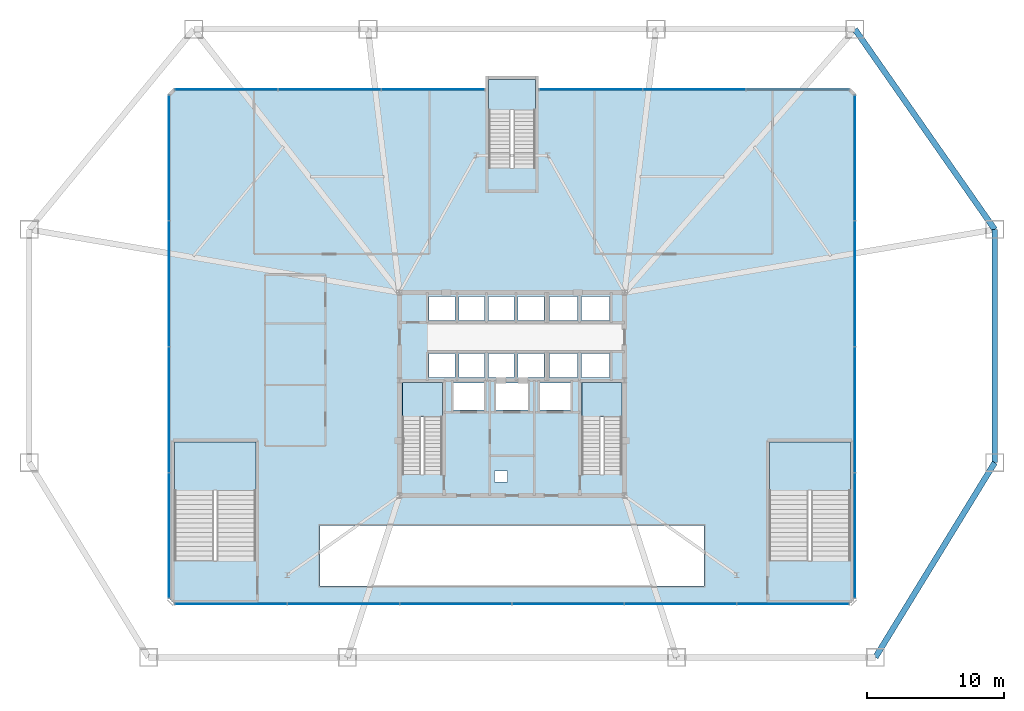
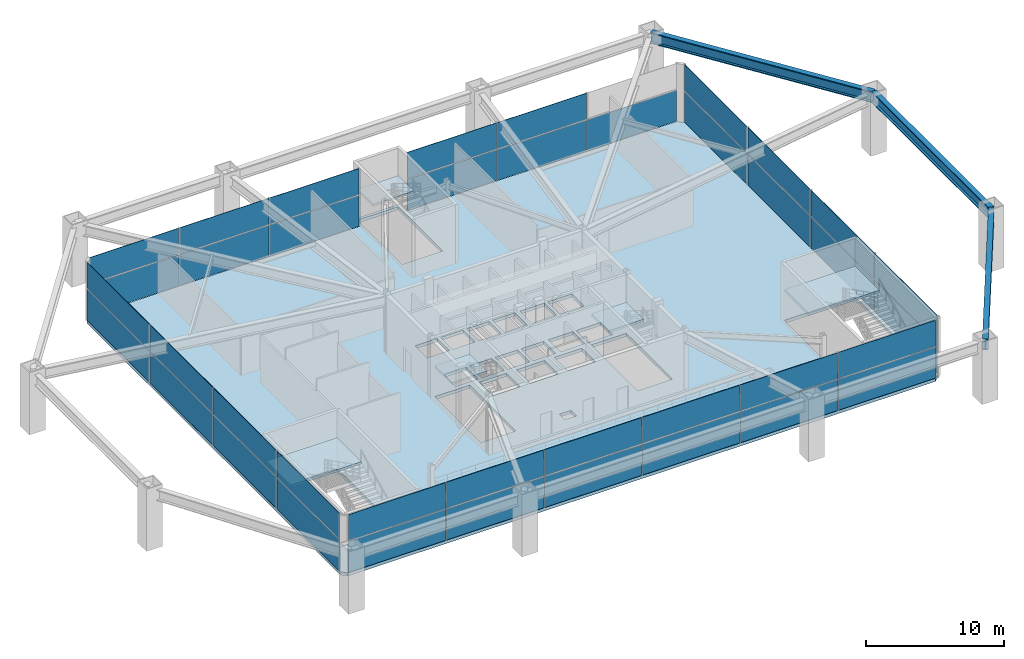
# One storey, part 13 of 18: 39 plates, 6 slabs, 3 beams, 10 elements without a shape of their own.
"""IFC4 building model written with IfcOpenShell, lengths in metres."""

import ifcopenshell
import ifcopenshell.guid

model = None  # the IFC model being written
_history = None  # IfcOwnerHistory: only IFC2X3 demands one
_inside = {}  # id of a spatial element -> (the spatial element, [elements in it])
_under = {}  # id of a project, library or spatial element -> (it, [spatial elements below it])
_declared = {}  # id of a project -> (the project, [libraries it declares])
_typed = {}  # id of a type object -> (the type object, [elements of that type])
_made_of = {}  # id of a material, layer set ... -> (it, [elements and type objects made of it])


def new_model(schema):
    """Start an empty IFC model of exactly this schema.

    Asked for "IFC4X3", IfcOpenShell would pick the latest addendum, in which some entities
    have other attributes; the version numbers below select the first issue.
    IFC2X3 requires an IfcOwnerHistory on every rooted entity: one is made here for all.
    """
    global model, _history
    if schema == "IFC4X3":
        model = ifcopenshell.file(schema_version=(4, 3, 0, 0))
    else:
        model = ifcopenshell.file(schema=schema)
    _inside.clear()
    _under.clear()
    _declared.clear()
    _typed.clear()
    _made_of.clear()
    _history = None
    if model.schema == "IFC2X3":
        org = make("IfcOrganization", Name="unknown")
        user = make(
            "IfcPersonAndOrganization",
            ThePerson=make("IfcPerson", FamilyName="unknown"),
            TheOrganization=org,
        )
        app = make(
            "IfcApplication",
            ApplicationDeveloper=org,
            Version="unknown",
            ApplicationFullName="unknown",
            ApplicationIdentifier="unknown",
        )
        _history = make(
            "IfcOwnerHistory",
            OwningUser=user,
            OwningApplication=app,
            ChangeAction="ADDED",
            CreationDate=0,
        )
    return model


def make(cls, **values):
    """One entity of the class cls with the attributes given. An attribute that is None is left unset."""
    return model.create_entity(
        cls, **{name: value for name, value in values.items() if value is not None}
    )


def rooted(cls, **values):
    """An entity with a GlobalId (a new one), such as an element, a storey or a relation."""
    return make(cls, GlobalId=ifcopenshell.guid.new(), OwnerHistory=_history, **values)


def si_unit(unit_type, name, prefix=None):
    """IfcSIUnit, for example si_unit("LENGTHUNIT", "METRE", prefix="MILLI")."""
    return make("IfcSIUnit", UnitType=unit_type, Prefix=prefix, Name=name)


def assignment(units):
    """IfcUnitAssignment: the units of a project."""
    return None if units is None else make("IfcUnitAssignment", Units=units)


def point(xyz):
    """IfcCartesianPoint."""
    return None if xyz is None else make("IfcCartesianPoint", Coordinates=xyz)


def direction(xyz):
    """IfcDirection."""
    return None if xyz is None else make("IfcDirection", DirectionRatios=xyz)


def frame(location, z_axis=None, x_axis=None):
    """IfcAxis2Placement3D, a coordinate frame: its origin and axes. An axis left out is left unset."""
    return make(
        "IfcAxis2Placement3D",
        Location=point(location),
        Axis=direction(z_axis),
        RefDirection=direction(x_axis),
    )


def frame_2d(location, x_axis=None):
    """IfcAxis2Placement2D, a coordinate frame in the plane: its origin and x axis."""
    return make(
        "IfcAxis2Placement2D", Location=point(location), RefDirection=direction(x_axis)
    )


def origin():
    """The frame at (0, 0, 0) with its axes left unset."""
    return frame((0.0, 0.0, 0.0))


def origin_2d():
    """The frame at (0, 0) in the plane with its x axis left unset."""
    return frame_2d((0.0, 0.0))


def place(relative_to, where):
    """IfcLocalPlacement: puts the frame where relative to a parent placement (None: the world)."""
    return make(
        "IfcLocalPlacement", PlacementRelTo=relative_to, RelativePlacement=where
    )


def context(
    kind, dimensions, precision=None, world=None, true_north=None, identifier=None
):
    """IfcGeometricRepresentationContext, for example the 3D "Model" context."""
    return make(
        "IfcGeometricRepresentationContext",
        ContextIdentifier=identifier,
        ContextType=kind,
        CoordinateSpaceDimension=dimensions,
        Precision=precision,
        WorldCoordinateSystem=world,
        TrueNorth=true_north,
    )


def subcontext(parent, identifier, kind, view, scale=None):
    """IfcGeometricRepresentationSubContext, for example "Body" below "Model"."""
    return make(
        "IfcGeometricRepresentationSubContext",
        ContextIdentifier=identifier,
        ContextType=kind,
        ParentContext=parent,
        TargetScale=scale,
        TargetView=view,
    )


def project(units=None, contexts=None):
    """IfcProject with its units and contexts."""
    return rooted(
        "IfcProject",
        Name="project",
        RepresentationContexts=contexts,
        UnitsInContext=assignment(units),
    )


def spatial(cls, under=None, at=None, **own):
    """A site, building, storey or space (cls), placed at a placement, below another one or the project."""
    s = rooted(cls, ObjectPlacement=at, **own)
    if under is not None:
        _under.setdefault(under.id(), (under, []))[1].append(s)
    return s


def polyline(points):
    """IfcPolyline through the points."""
    return make("IfcPolyline", Points=[point(p) for p in points])


def profile(cls, at=None, kind="AREA", **sizes):
    """A parametric profile (cls). Its sizes go by their IFC names, for example OverallWidth=200.0."""
    return make(cls, ProfileType=kind, Position=at, **sizes)


def rectangle(**sizes):
    """IfcRectangleProfileDef."""
    return profile("IfcRectangleProfileDef", **sizes)


def i_section(**sizes):
    """IfcIShapeProfileDef."""
    return profile("IfcIShapeProfileDef", **sizes)


def outline(outer, holes=None, kind="AREA"):
    """IfcArbitraryClosedProfileDef: a profile drawn as a closed curve; with holes, ...WithVoids."""
    if holes is None:
        return make("IfcArbitraryClosedProfileDef", ProfileType=kind, OuterCurve=outer)
    return make(
        "IfcArbitraryProfileDefWithVoids",
        ProfileType=kind,
        OuterCurve=outer,
        InnerCurves=holes,
    )


def extrude(swept, where, along, depth):
    """IfcExtrudedAreaSolid: the profile swept, set in the frame where, extruded along a direction by depth."""
    return make(
        "IfcExtrudedAreaSolid",
        SweptArea=swept,
        Position=where,
        ExtrudedDirection=direction(along),
        Depth=depth,
    )


def shape(context_of_items, identifier, shape_type, items):
    """IfcShapeRepresentation: the items that make up one representation, for example the "Body"."""
    return make(
        "IfcShapeRepresentation",
        ContextOfItems=context_of_items,
        RepresentationIdentifier=identifier,
        RepresentationType=shape_type,
        Items=items,
    )


def source(mapping_origin, context_of_items, identifier, shape_type, items):
    """IfcRepresentationMap: a shape defined once, which mapped items show again and again."""
    return make(
        "IfcRepresentationMap",
        MappingOrigin=mapping_origin,
        MappedRepresentation=shape(context_of_items, identifier, shape_type, items),
    )


def transform(
    local_origin,
    x_axis=None,
    y_axis=None,
    z_axis=None,
    scale=None,
    scale2=None,
    scale3=None,
    uniform=True,
):
    """IfcCartesianTransformationOperator3D, or its non-uniform kind. x_axis, y_axis, z_axis: its Axis1, 2, 3."""
    if uniform:
        return make(
            "IfcCartesianTransformationOperator3D",
            Axis1=direction(x_axis),
            Axis2=direction(y_axis),
            LocalOrigin=point(local_origin),
            Scale=scale,
            Axis3=direction(z_axis),
        )
    return make(
        "IfcCartesianTransformationOperator3DnonUniform",
        Axis1=direction(x_axis),
        Axis2=direction(y_axis),
        LocalOrigin=point(local_origin),
        Scale=scale,
        Axis3=direction(z_axis),
        Scale2=scale2,
        Scale3=scale3,
    )


def mapped(mapping_source, mapping_target):
    """IfcMappedItem: shows the shape of a source again, moved by a transform."""
    return make(
        "IfcMappedItem", MappingSource=mapping_source, MappingTarget=mapping_target
    )


def material(Name=None, Category=None):
    """IfcMaterial."""
    return make("IfcMaterial", Name=Name, Category=Category)


def layer(
    of_material, thickness, ventilated=None, Name=None, Category=None, Priority=None
):
    """IfcMaterialLayer: one layer of a wall or slab, of a material (None: an air gap)."""
    return make(
        "IfcMaterialLayer",
        Material=of_material,
        LayerThickness=thickness,
        IsVentilated=ventilated,
        Name=Name,
        Category=Category,
        Priority=Priority,
    )


def layer_set(layers, Name=None):
    """IfcMaterialLayerSet."""
    return make("IfcMaterialLayerSet", MaterialLayers=layers, LayerSetName=Name)


def material_profile(
    of_material, cross_section, Name=None, Category=None, Priority=None
):
    """IfcMaterialProfile: a cross section and its material."""
    return make(
        "IfcMaterialProfile",
        Name=Name,
        Material=of_material,
        Profile=cross_section,
        Priority=Priority,
        Category=Category,
    )


def profile_set(profiles, Name=None, composite=None):
    """IfcMaterialProfileSet."""
    return make(
        "IfcMaterialProfileSet",
        Name=Name,
        MaterialProfiles=profiles,
        CompositeProfile=composite,
    )


def made_of(thing, what):
    """Note that an element or type object is made of a material, layer set ...; save() writes the relation."""
    if what is not None:
        _made_of.setdefault(what.id(), (what, []))[1].append(thing)
    return thing


def type_object(cls, material=None, **own):
    """A type object (cls), such as IfcWallType, which elements share."""
    return made_of(rooted(cls, **own), material)


def type_shapes(of_type, sources):
    """Give a type object the sources (RepresentationMaps) that its elements show as mapped items."""
    of_type.RepresentationMaps = sources


def element(
    cls,
    number,
    at=None,
    inside=None,
    cuts=None,
    type_object=None,
    material=None,
    context=None,
    identifier="Body",
    shape_type=None,
    held_by="IfcProductDefinitionShape",
    body=None,
    shapes=None,
    **own,
):
    """One element of the class cls, such as IfcWall. Its Tag is "e" and its number.

    at: its placement. inside: the storey or other place that contains it. cuts: it is an
    opening in that element (IfcRelVoidsElement). A single representation is given by context,
    identifier, shape_type and body (its items); several are given by shapes. held_by: the class
    of the entity that holds the representations. save() writes the other relations.
    """
    e = rooted(cls, Tag="e%d" % number, ObjectPlacement=at, **own)
    if body is not None:
        shapes = [shape(context, identifier, shape_type, body)]
    if shapes is not None:
        e.Representation = make(held_by, Representations=shapes)
    if inside is not None:
        _inside.setdefault(inside.id(), (inside, []))[1].append(e)
    if cuts is not None:
        rooted(
            "IfcRelVoidsElement", RelatingBuildingElement=cuts, RelatedOpeningElement=e
        )
    if type_object is not None:
        _typed.setdefault(type_object.id(), (type_object, []))[1].append(e)
    return made_of(e, material)


def aggregate(whole, parts):
    """IfcRelAggregates: a whole, such as a stair, and the parts it consists of."""
    return rooted("IfcRelAggregates", RelatingObject=whole, RelatedObjects=parts)


def save(model, path):
    """Write the relations noted so far, then the file.

    IfcRelAggregates (storeys below a building ...), IfcRelContainedInSpatialStructure (elements
    in a storey), IfcRelDefinesByType, IfcRelAssociatesMaterial and IfcRelDeclares: one each for
    every whole, place, type object, material and project.
    """
    for whole, parts in _under.values():
        aggregate(whole, parts)
    for where, things in _inside.values():
        rooted(
            "IfcRelContainedInSpatialStructure",
            RelatedElements=things,
            RelatingStructure=where,
        )
    for kind, things in _typed.values():
        rooted("IfcRelDefinesByType", RelatedObjects=things, RelatingType=kind)
    for what, things in _made_of.values():
        rooted("IfcRelAssociatesMaterial", RelatedObjects=things, RelatingMaterial=what)
    for by, libraries in _declared.values():
        rooted("IfcRelDeclares", RelatingContext=by, RelatedDefinitions=libraries)
    model.write(path)


model = new_model("IFC4")

# Units and contexts
model_context = context("Model", 3, precision=1e-05, world=origin(), true_north=direction((0.0, 1.0)))
body_context = subcontext(model_context, "Body", "Model", "MODEL_VIEW")
ifc_project = project(units=[si_unit("LENGTHUNIT", "METRE"), si_unit("AREAUNIT", "SQUARE_METRE"), si_unit("VOLUMEUNIT", "CUBIC_METRE"), si_unit("PLANEANGLEUNIT", "RADIAN"), si_unit("MASSUNIT", "GRAM", prefix="KILO")], contexts=[model_context])

# Site, building, storey
site_placement = place(None, origin())
site = spatial("IfcSite", under=ifc_project, at=site_placement, CompositionType="ELEMENT")
building_placement = place(site_placement, origin())
building = spatial("IfcBuilding", under=site, at=building_placement, Name="Varakhsha Concourse Tower", CompositionType="ELEMENT")
storey_placement = place(building_placement, frame((0.0, 0.0, 5.5)))
storey = spatial("IfcBuildingStorey", under=building, at=storey_placement, Name="L02", CompositionType="ELEMENT", Elevation=5.5)

# Beams
ifc_material_1 = material(Name="Structural Steel ASTM A992 Grade 50", Category="steel")
ifc_material_profile = material_profile(ifc_material_1, i_section(OverallWidth=0.427978515625, OverallDepth=0.97509765625, WebThickness=0.050048828125, FlangeThickness=0.0810546875, at=origin_2d()), Name="W36X395")
ifc_profile_set = profile_set([ifc_material_profile], Name="Structural Steel ASTM A992 Grade 50")
beam_type = type_object("IfcBeamType", Name="BM-XFER-W36X395", PredefinedType="USERDEFINED", material=ifc_profile_set)
beam_1_placement = place(storey_placement, frame((66.5, 4.60009765625, 4.6923828125), z_axis=(0.522420415639, 0.852688049244, 0.0), x_axis=(-0.852688049244, 0.522420415639, 0.0)))
element("IfcBeam", 1, at=beam_1_placement, inside=storey, type_object=beam_type, Name="BM-PRING-L02-04", ObjectType="GIRDER", PredefinedType="USERDEFINED", context=body_context, shape_type="SweptSolid", body=[
    extrude(i_section(OverallWidth=0.427978515625, OverallDepth=0.97509765625, WebThickness=0.050048828125, FlangeThickness=0.0810546875, at=origin_2d()), origin(), (0.0, 0.0, 1.0), 16.653076171875),
])
beam_2_placement = place(storey_placement, frame((75.199951171875, 18.800048828125, 4.6923828125), z_axis=(0.0, 1.0, 0.0), x_axis=(-1.0, 0.0, 0.0)))
element("IfcBeam", 2, at=beam_2_placement, inside=storey, type_object=beam_type, Name="BM-PRING-L02-05", ObjectType="GIRDER", PredefinedType="USERDEFINED", context=body_context, shape_type="SweptSolid", body=[
    extrude(i_section(OverallWidth=0.427978515625, OverallDepth=0.97509765625, WebThickness=0.050048828125, FlangeThickness=0.0810546875, at=origin_2d()), origin(), (0.0, 0.0, 1.0), 17.0),
])
beam_3_placement = place(storey_placement, frame((75.199951171875, 35.800048828125, 4.6923828125), z_axis=(-0.572710457839, 0.819757727309, 0.0), x_axis=(-0.819757727309, -0.572710457839, 0.0)))
element("IfcBeam", 3, at=beam_3_placement, inside=storey, type_object=beam_type, Name="BM-PRING-L02-06", ObjectType="GIRDER", PredefinedType="USERDEFINED", context=body_context, shape_type="SweptSolid", body=[
    extrude(i_section(OverallWidth=0.427978515625, OverallDepth=0.97509765625, WebThickness=0.050048828125, FlangeThickness=0.0810546875, at=origin_2d()), origin(), (0.0, 0.0, 1.0), 17.81005859375),
])

# Slab
ifc_material_2 = material(Name="Concrete fc 45 MPa", Category="concrete")
ifc_layer_1 = layer(ifc_material_2, 0.280029296875, Name="SL-FLR-280")
ifc_layer_set_1 = layer_set([ifc_layer_1], Name="Concrete fc 45 MPa")
slab_type_1 = type_object("IfcSlabType", Name="SL-FLR-280", PredefinedType="FLOOR", material=ifc_layer_set_1)
slab_1_placement = place(storey_placement, frame((0.0, 0.0, -0.280029296875)))
element("IfcSlab", 4, at=slab_1_placement, inside=storey, type_object=slab_type_1, Name="L02 Composite Structural Slab", PredefinedType="FLOOR", context=body_context, shape_type="SweptSolid", body=[
    extrude(outline(polyline([(64.60009765625, 46.0), (65.0, 45.60009765625), (65.0, 8.89990234375), (64.60009765625, 8.5), (15.39990234375, 8.5), (15.0, 8.89990234375), (15.0, 45.60009765625), (15.39990234375, 46.0), (38.050048828125, 46.0), (38.050048828125, 47.0), (41.949951171875, 47.0), (41.949951171875, 46.0), (64.60009765625, 46.0)]), holes=[polyline([(34.919921875, 17.93994140625), (34.919921875, 24.6298828125), (32.0, 24.6298828125), (32.0, 17.93994140625), (34.919921875, 17.93994140625)]), polyline([(48.02001953125, 17.93994140625), (48.02001953125, 24.6298828125), (45.10009765625, 24.6298828125), (45.10009765625, 17.93994140625), (48.02001953125, 17.93994140625)]), polyline([(21.320068359375, 11.659912109375), (21.320068359375, 20.300048828125), (15.39990234375, 20.300048828125), (15.39990234375, 11.659912109375), (21.320068359375, 11.659912109375)]), polyline([(64.679931640625, 11.659912109375), (64.679931640625, 20.300048828125), (58.760009765625, 20.300048828125), (58.760009765625, 11.659912109375), (64.679931640625, 11.659912109375)]), polyline([(41.699951171875, 40.300048828125), (41.699951171875, 46.75), (38.300048828125, 46.75), (38.300048828125, 40.300048828125), (41.699951171875, 40.300048828125)]), polyline([(33.9599609375, 29.159912109375), (35.840087890625, 29.159912109375), (35.840087890625, 30.89990234375), (33.9599609375, 30.89990234375), (33.9599609375, 29.159912109375)]), polyline([(36.1201171875, 29.159912109375), (38.0, 29.159912109375), (38.0, 30.89990234375), (36.1201171875, 30.89990234375), (36.1201171875, 29.159912109375)]), polyline([(38.280029296875, 29.159912109375), (40.159912109375, 29.159912109375), (40.159912109375, 30.89990234375), (38.280029296875, 30.89990234375), (38.280029296875, 29.159912109375)]), polyline([(40.43994140625, 29.159912109375), (42.320068359375, 29.159912109375), (42.320068359375, 30.89990234375), (40.43994140625, 30.89990234375), (40.43994140625, 29.159912109375)]), polyline([(33.9599609375, 25.0), (35.840087890625, 25.0), (35.840087890625, 26.739990234375), (33.9599609375, 26.739990234375), (33.9599609375, 25.0)]), polyline([(36.1201171875, 25.0), (38.0, 25.0), (38.0, 26.739990234375), (36.1201171875, 26.739990234375), (36.1201171875, 25.0)]), polyline([(38.280029296875, 25.0), (40.159912109375, 25.0), (40.159912109375, 26.739990234375), (38.280029296875, 26.739990234375), (38.280029296875, 25.0)]), polyline([(40.43994140625, 25.0), (42.320068359375, 25.0), (42.320068359375, 26.739990234375), (40.43994140625, 26.739990234375), (40.43994140625, 25.0)]), polyline([(42.739990234375, 29.159912109375), (44.780029296875, 29.159912109375), (44.780029296875, 30.89990234375), (42.739990234375, 30.89990234375), (42.739990234375, 29.159912109375)]), polyline([(45.06005859375, 29.159912109375), (47.10009765625, 29.159912109375), (47.10009765625, 30.89990234375), (45.06005859375, 30.89990234375), (45.06005859375, 29.159912109375)]), polyline([(42.739990234375, 25.0), (44.780029296875, 25.0), (44.780029296875, 26.739990234375), (42.739990234375, 26.739990234375), (42.739990234375, 25.0)]), polyline([(45.06005859375, 25.0), (47.10009765625, 25.0), (47.10009765625, 26.739990234375), (45.06005859375, 26.739990234375), (45.06005859375, 25.0)]), polyline([(35.7099609375, 22.639892578125), (37.989990234375, 22.639892578125), (37.989990234375, 24.60009765625), (35.7099609375, 24.60009765625), (35.7099609375, 22.639892578125)]), polyline([(42.010009765625, 22.639892578125), (44.2900390625, 22.639892578125), (44.2900390625, 24.60009765625), (42.010009765625, 24.60009765625), (42.010009765625, 22.639892578125)]), polyline([(38.81005859375, 22.639892578125), (41.18994140625, 22.639892578125), (41.18994140625, 24.60009765625), (38.81005859375, 24.60009765625), (38.81005859375, 22.639892578125)]), polyline([(38.719970703125, 17.39990234375), (39.679931640625, 17.39990234375), (39.679931640625, 18.199951171875), (38.719970703125, 18.199951171875), (38.719970703125, 17.39990234375)]), polyline([(26.0, 9.800048828125), (54.0, 9.800048828125), (54.0, 14.199951171875), (26.0, 14.199951171875), (26.0, 9.800048828125)])]), origin(), (0.0, 0.0, 1.0), 0.280029296875),
])

# Stair, slab
stair_type_1 = type_object("IfcStairType", Name="ST-DOGLEG-1360", PredefinedType="HALF_TURN_STAIR", material=ifc_material_2)
stair_1_placement = place(storey_placement, origin())
stair_1 = element("IfcStair", 5, at=stair_1_placement, inside=storey, type_object=stair_type_1, Name="L02 Protected Exit Stair ST1", PredefinedType="HALF_TURN_STAIR")
ifc_layer_2 = layer(ifc_material_2, 0.199951171875, Name="SL-LAND-200")
ifc_layer_set_2 = layer_set([ifc_layer_2], Name="Concrete fc 45 MPa")
slab_type_2 = type_object("IfcSlabType", Name="SL-LAND-200", PredefinedType="LANDING", material=ifc_layer_set_2)
slab_2_placement = place(storey_placement, frame((0.0, 0.0, 2.550048828125)))
slab_2 = element("IfcSlab", 6, at=slab_2_placement, type_object=slab_type_2, Name="ST1 landing 1", PredefinedType="LANDING", context=body_context, shape_type="SweptSolid", body=[
    extrude(outline(polyline([(34.919921875, 22.139892578125), (34.919921875, 24.6298828125), (32.0, 24.6298828125), (32.0, 22.139892578125), (34.919921875, 22.139892578125)])), origin(), (0.0, 0.0, 1.0), 0.199951171875),
])
aggregate(stair_1, [slab_2])

stair_2_placement = place(storey_placement, origin())
stair_2 = element("IfcStair", 7, at=stair_2_placement, inside=storey, type_object=stair_type_1, Name="L02 Protected Exit Stair ST2", PredefinedType="HALF_TURN_STAIR")
slab_3_placement = place(storey_placement, frame((0.0, 0.0, 2.550048828125)))
slab_3 = element("IfcSlab", 8, at=slab_3_placement, type_object=slab_type_2, Name="ST2 landing 1", PredefinedType="LANDING", context=body_context, shape_type="SweptSolid", body=[
    extrude(outline(polyline([(48.02001953125, 22.139892578125), (48.02001953125, 24.6298828125), (45.10009765625, 24.6298828125), (45.10009765625, 22.139892578125), (48.02001953125, 22.139892578125)])), origin(), (0.0, 0.0, 1.0), 0.199951171875),
])
aggregate(stair_2, [slab_3])

stair_type_2 = type_object("IfcStairType", Name="ST-DOGLEG-2860", PredefinedType="HALF_TURN_STAIR", material=ifc_material_2)
stair_3_placement = place(storey_placement, origin())
stair_3 = element("IfcStair", 9, at=stair_3_placement, inside=storey, type_object=stair_type_2, Name="L02 Protected Exit Stair ST3", PredefinedType="HALF_TURN_STAIR")
slab_4_placement = place(storey_placement, frame((0.0, 0.0, 2.550048828125)))
slab_4 = element("IfcSlab", 10, at=slab_4_placement, type_object=slab_type_2, Name="ST3 landing 1", PredefinedType="LANDING", context=body_context, shape_type="SweptSolid", body=[
    extrude(outline(polyline([(21.320068359375, 16.760009765625), (21.320068359375, 20.300048828125), (15.39990234375, 20.300048828125), (15.39990234375, 16.760009765625), (21.320068359375, 16.760009765625)])), origin(), (0.0, 0.0, 1.0), 0.199951171875),
])
aggregate(stair_3, [slab_4])

stair_4_placement = place(storey_placement, origin())
stair_4 = element("IfcStair", 11, at=stair_4_placement, inside=storey, type_object=stair_type_2, Name="L02 Protected Exit Stair ST4", PredefinedType="HALF_TURN_STAIR")
slab_5_placement = place(storey_placement, frame((0.0, 0.0, 2.550048828125)))
slab_5 = element("IfcSlab", 12, at=slab_5_placement, type_object=slab_type_2, Name="ST4 landing 1", PredefinedType="LANDING", context=body_context, shape_type="SweptSolid", body=[
    extrude(outline(polyline([(64.679931640625, 16.760009765625), (64.679931640625, 20.300048828125), (58.760009765625, 20.300048828125), (58.760009765625, 16.760009765625), (64.679931640625, 16.760009765625)])), origin(), (0.0, 0.0, 1.0), 0.199951171875),
])
aggregate(stair_4, [slab_5])

stair_type_3 = type_object("IfcStairType", Name="ST-DOGLEG-1600", PredefinedType="HALF_TURN_STAIR", material=ifc_material_2)
stair_5_placement = place(storey_placement, origin())
stair_5 = element("IfcStair", 13, at=stair_5_placement, inside=storey, type_object=stair_type_3, Name="L02 Protected Exit Stair ST5", PredefinedType="HALF_TURN_STAIR")
slab_6_placement = place(storey_placement, frame((0.0, 0.0, 2.550048828125)))
slab_6 = element("IfcSlab", 14, at=slab_6_placement, type_object=slab_type_2, Name="ST5 landing 1", PredefinedType="LANDING", context=body_context, shape_type="SweptSolid", body=[
    extrude(outline(polyline([(41.699951171875, 44.5), (41.699951171875, 46.75), (38.300048828125, 46.75), (38.300048828125, 44.5), (41.699951171875, 44.5)])), origin(), (0.0, 0.0, 1.0), 0.199951171875),
])
aggregate(stair_5, [slab_6])

# Curtain wall, plates
ifc_material_3 = material(Name="Anodised Bronze Architectural Aluminium AA 6063-T6", Category="aluminium")
ifc_layer_3 = layer(ifc_material_3, 0.239990234375, Name="CW-SYS-01")
ifc_layer_set_3 = layer_set([ifc_layer_3], Name="Anodised Bronze Architectural Aluminium AA 6063-T6")
curtain_wall_type = type_object("IfcCurtainWallType", Name="CW-SYS-01", PredefinedType="NOTDEFINED", material=ifc_layer_set_3)
curtain_wall_1_placement = place(storey_placement, origin())
curtain_wall_1 = element("IfcCurtainWall", 15, at=curtain_wall_1_placement, inside=storey, type_object=curtain_wall_type, Name="L02 Mezzanine Curtain Wall 01", PredefinedType="NOTDEFINED")
ifc_material_4 = material(Name="Low-E Triple Insulating Glass IGU 44 mm", Category="glass")
ifc_layer_4 = layer(ifc_material_4, 0.0439453125, Name="CWP-IGU-44")
ifc_layer_set_4 = layer_set([ifc_layer_4], Name="Low-E Triple Insulating Glass IGU 44 mm")
plate_type_1 = type_object("IfcPlateType", Name="CWP-IGU-44", PredefinedType="CURTAIN_PANEL", material=ifc_layer_set_4)
shared_shape_1 = source(origin(), body_context, "Body", "SweptSolid", [
    extrude(rectangle(XDim=8.12109375, YDim=0.0439453125, at=origin_2d()), origin(), (0.0, 0.0, 1.0), 2.73095703125),
])
plate_1_placement = place(storey_placement, frame((19.5, 8.5, 0.034423828125), z_axis=(0.0, 0.0, 1.0), x_axis=(1.0, 0.0, 0.0)))
plate_1 = element("IfcPlate", 16, at=plate_1_placement, type_object=plate_type_1, Name="CW-L02-01 Panel 00-00", PredefinedType="CURTAIN_PANEL", context=body_context, shape_type="MappedRepresentation", body=[
    mapped(shared_shape_1, transform((0.0, 0.0, 0.0), scale=1.0)),
])
plate_2_placement = place(storey_placement, frame((27.699951171875, 8.5, 0.034423828125), z_axis=(0.0, 0.0, 1.0), x_axis=(1.0, 0.0, 0.0)))
plate_2 = element("IfcPlate", 17, at=plate_2_placement, type_object=plate_type_1, Name="CW-L02-01 Panel 01-00", PredefinedType="CURTAIN_PANEL", context=body_context, shape_type="MappedRepresentation", body=[
    mapped(shared_shape_1, transform((0.0, 0.0, 0.0), scale=1.0)),
])
plate_3_placement = place(storey_placement, frame((35.89990234375, 8.5, 0.034423828125), z_axis=(0.0, 0.0, 1.0), x_axis=(1.0, 0.0, 0.0)))
plate_3 = element("IfcPlate", 18, at=plate_3_placement, type_object=plate_type_1, Name="CW-L02-01 Panel 02-00", PredefinedType="CURTAIN_PANEL", context=body_context, shape_type="MappedRepresentation", body=[
    mapped(shared_shape_1, transform((0.0, 0.0, 0.0), scale=1.0)),
])
plate_4_placement = place(storey_placement, frame((44.10009765625, 8.5, 0.034423828125), z_axis=(0.0, 0.0, 1.0), x_axis=(1.0, 0.0, 0.0)))
plate_4 = element("IfcPlate", 19, at=plate_4_placement, type_object=plate_type_1, Name="CW-L02-01 Panel 03-00", PredefinedType="CURTAIN_PANEL", context=body_context, shape_type="MappedRepresentation", body=[
    mapped(shared_shape_1, transform((0.0, 0.0, 0.0), scale=1.0)),
])
plate_5_placement = place(storey_placement, frame((52.300048828125, 8.5, 0.034423828125), z_axis=(0.0, 0.0, 1.0), x_axis=(1.0, 0.0, 0.0)))
plate_5 = element("IfcPlate", 20, at=plate_5_placement, type_object=plate_type_1, Name="CW-L02-01 Panel 04-00", PredefinedType="CURTAIN_PANEL", context=body_context, shape_type="MappedRepresentation", body=[
    mapped(shared_shape_1, transform((0.0, 0.0, 0.0), scale=1.0)),
])
plate_6_placement = place(storey_placement, frame((60.5, 8.5, 0.034423828125), z_axis=(0.0, 0.0, 1.0), x_axis=(1.0, 0.0, 0.0)))
plate_6 = element("IfcPlate", 21, at=plate_6_placement, type_object=plate_type_1, Name="CW-L02-01 Panel 05-00", PredefinedType="CURTAIN_PANEL", context=body_context, shape_type="MappedRepresentation", body=[
    mapped(shared_shape_1, transform((0.0, 0.0, 0.0), scale=1.0)),
])
ifc_material_5 = material(Name="Glazed Turquoise-Bronze Ceramic Spandrel Panel 38 mm", Category="ceramic")
ifc_layer_5 = layer(ifc_material_5, 0.0380859375, Name="CWP-SPN-38")
ifc_layer_set_5 = layer_set([ifc_layer_5], Name="Glazed Turquoise-Bronze Ceramic Spandrel Panel 38 mm")
plate_type_2 = type_object("IfcPlateType", Name="CWP-SPN-38", PredefinedType="USERDEFINED", material=ifc_layer_set_5)
shared_shape_2 = source(origin(), body_context, "Body", "SweptSolid", [
    extrude(rectangle(XDim=8.12109375, YDim=0.0380859375, at=origin_2d()), origin(), (0.0, 0.0, 1.0), 2.31103515625),
])
plate_7_placement = place(storey_placement, frame((19.5, 8.5, 2.83447265625), z_axis=(0.0, 0.0, 1.0), x_axis=(1.0, 0.0, 0.0)))
plate_7 = element("IfcPlate", 22, at=plate_7_placement, type_object=plate_type_2, Name="CW-L02-01 Panel 00-01", ObjectType="SPANDREL", PredefinedType="USERDEFINED", context=body_context, shape_type="MappedRepresentation", body=[
    mapped(shared_shape_2, transform((0.0, 0.0, 0.0), scale=1.0)),
])
plate_8_placement = place(storey_placement, frame((27.699951171875, 8.5, 2.83447265625), z_axis=(0.0, 0.0, 1.0), x_axis=(1.0, 0.0, 0.0)))
plate_8 = element("IfcPlate", 23, at=plate_8_placement, type_object=plate_type_2, Name="CW-L02-01 Panel 01-01", ObjectType="SPANDREL", PredefinedType="USERDEFINED", context=body_context, shape_type="MappedRepresentation", body=[
    mapped(shared_shape_2, transform((0.0, 0.0, 0.0), scale=1.0)),
])
plate_9_placement = place(storey_placement, frame((35.89990234375, 8.5, 2.83447265625), z_axis=(0.0, 0.0, 1.0), x_axis=(1.0, 0.0, 0.0)))
plate_9 = element("IfcPlate", 24, at=plate_9_placement, type_object=plate_type_2, Name="CW-L02-01 Panel 02-01", ObjectType="SPANDREL", PredefinedType="USERDEFINED", context=body_context, shape_type="MappedRepresentation", body=[
    mapped(shared_shape_2, transform((0.0, 0.0, 0.0), scale=1.0)),
])
plate_10_placement = place(storey_placement, frame((44.10009765625, 8.5, 2.83447265625), z_axis=(0.0, 0.0, 1.0), x_axis=(1.0, 0.0, 0.0)))
plate_10 = element("IfcPlate", 25, at=plate_10_placement, type_object=plate_type_2, Name="CW-L02-01 Panel 03-01", ObjectType="SPANDREL", PredefinedType="USERDEFINED", context=body_context, shape_type="MappedRepresentation", body=[
    mapped(shared_shape_2, transform((0.0, 0.0, 0.0), scale=1.0)),
])
plate_11_placement = place(storey_placement, frame((52.300048828125, 8.5, 2.83447265625), z_axis=(0.0, 0.0, 1.0), x_axis=(1.0, 0.0, 0.0)))
plate_11 = element("IfcPlate", 26, at=plate_11_placement, type_object=plate_type_2, Name="CW-L02-01 Panel 04-01", ObjectType="SPANDREL", PredefinedType="USERDEFINED", context=body_context, shape_type="MappedRepresentation", body=[
    mapped(shared_shape_2, transform((0.0, 0.0, 0.0), scale=1.0)),
])
plate_12_placement = place(storey_placement, frame((60.5, 8.5, 2.83447265625), z_axis=(0.0, 0.0, 1.0), x_axis=(1.0, 0.0, 0.0)))
plate_12 = element("IfcPlate", 27, at=plate_12_placement, type_object=plate_type_2, Name="CW-L02-01 Panel 05-01", ObjectType="SPANDREL", PredefinedType="USERDEFINED", context=body_context, shape_type="MappedRepresentation", body=[
    mapped(shared_shape_2, transform((0.0, 0.0, 0.0), scale=1.0)),
])
aggregate(curtain_wall_1, [plate_1, plate_7, plate_2, plate_8, plate_3, plate_9, plate_4, plate_10, plate_5, plate_11, plate_6, plate_12])

curtain_wall_2_placement = place(storey_placement, origin())
curtain_wall_2 = element("IfcCurtainWall", 28, at=curtain_wall_2_placement, inside=storey, type_object=curtain_wall_type, Name="L02 Mezzanine Curtain Wall 03", PredefinedType="NOTDEFINED")
shared_shape_3 = source(origin(), body_context, "Body", "SweptSolid", [
    extrude(rectangle(XDim=9.095947265625, YDim=0.0439453125, at=origin_2d()), origin(), (0.0, 0.0, 1.0), 2.73095703125),
])
plate_13_placement = place(storey_placement, frame((65.0, 13.487548828125, 0.034423828125), z_axis=(0.0, 0.0, 1.0), x_axis=(0.0, 1.0, 0.0)))
plate_13 = element("IfcPlate", 29, at=plate_13_placement, type_object=plate_type_1, Name="CW-L02-03 Panel 00-00", PredefinedType="CURTAIN_PANEL", context=body_context, shape_type="MappedRepresentation", body=[
    mapped(shared_shape_3, transform((0.0, 0.0, 0.0), scale=1.0)),
])
plate_14_placement = place(storey_placement, frame((65.0, 22.66259765625, 0.034423828125), z_axis=(0.0, 0.0, 1.0), x_axis=(0.0, 1.0, 0.0)))
plate_14 = element("IfcPlate", 30, at=plate_14_placement, type_object=plate_type_1, Name="CW-L02-03 Panel 01-00", PredefinedType="CURTAIN_PANEL", context=body_context, shape_type="MappedRepresentation", body=[
    mapped(shared_shape_3, transform((0.0, 0.0, 0.0), scale=1.0)),
])
plate_15_placement = place(storey_placement, frame((65.0, 31.83740234375, 0.034423828125), z_axis=(0.0, 0.0, 1.0), x_axis=(0.0, 1.0, 0.0)))
plate_15 = element("IfcPlate", 31, at=plate_15_placement, type_object=plate_type_1, Name="CW-L02-03 Panel 02-00", PredefinedType="CURTAIN_PANEL", context=body_context, shape_type="MappedRepresentation", body=[
    mapped(shared_shape_3, transform((0.0, 0.0, 0.0), scale=1.0)),
])
plate_16_placement = place(storey_placement, frame((65.0, 41.012451171875, 0.034423828125), z_axis=(0.0, 0.0, 1.0), x_axis=(0.0, 1.0, 0.0)))
plate_16 = element("IfcPlate", 32, at=plate_16_placement, type_object=plate_type_1, Name="CW-L02-03 Panel 03-00", PredefinedType="CURTAIN_PANEL", context=body_context, shape_type="MappedRepresentation", body=[
    mapped(shared_shape_3, transform((0.0, 0.0, 0.0), scale=1.0)),
])

curtain_wall_3_placement = place(storey_placement, origin())
curtain_wall_3 = element("IfcCurtainWall", 33, at=curtain_wall_3_placement, inside=storey, type_object=curtain_wall_type, Name="L02 Mezzanine Curtain Wall 07", PredefinedType="NOTDEFINED")
plate_17_placement = place(storey_placement, frame((15.0, 41.012451171875, 0.034423828125), z_axis=(0.0, 0.0, 1.0), x_axis=(0.0, -1.0, 0.0)))
plate_17 = element("IfcPlate", 34, at=plate_17_placement, type_object=plate_type_1, Name="CW-L02-07 Panel 00-00", PredefinedType="CURTAIN_PANEL", context=body_context, shape_type="MappedRepresentation", body=[
    mapped(shared_shape_3, transform((0.0, 0.0, 0.0), scale=1.0)),
])
plate_18_placement = place(storey_placement, frame((15.0, 31.83740234375, 0.034423828125), z_axis=(0.0, 0.0, 1.0), x_axis=(0.0, -1.0, 0.0)))
plate_18 = element("IfcPlate", 35, at=plate_18_placement, type_object=plate_type_1, Name="CW-L02-07 Panel 01-00", PredefinedType="CURTAIN_PANEL", context=body_context, shape_type="MappedRepresentation", body=[
    mapped(shared_shape_3, transform((0.0, 0.0, 0.0), scale=1.0)),
])
plate_19_placement = place(storey_placement, frame((15.0, 22.66259765625, 0.034423828125), z_axis=(0.0, 0.0, 1.0), x_axis=(0.0, -1.0, 0.0)))
plate_19 = element("IfcPlate", 36, at=plate_19_placement, type_object=plate_type_1, Name="CW-L02-07 Panel 02-00", PredefinedType="CURTAIN_PANEL", context=body_context, shape_type="MappedRepresentation", body=[
    mapped(shared_shape_3, transform((0.0, 0.0, 0.0), scale=1.0)),
])
plate_20_placement = place(storey_placement, frame((15.0, 13.487548828125, 0.034423828125), z_axis=(0.0, 0.0, 1.0), x_axis=(0.0, -1.0, 0.0)))
plate_20 = element("IfcPlate", 37, at=plate_20_placement, type_object=plate_type_1, Name="CW-L02-07 Panel 03-00", PredefinedType="CURTAIN_PANEL", context=body_context, shape_type="MappedRepresentation", body=[
    mapped(shared_shape_3, transform((0.0, 0.0, 0.0), scale=1.0)),
])

# Plate
shared_shape_4 = source(origin(), body_context, "Body", "SweptSolid", [
    extrude(rectangle(XDim=9.095947265625, YDim=0.0380859375, at=origin_2d()), origin(), (0.0, 0.0, 1.0), 2.31103515625),
])
plate_21_placement = place(storey_placement, frame((65.0, 13.487548828125, 2.83447265625), z_axis=(0.0, 0.0, 1.0), x_axis=(0.0, 1.0, 0.0)))
plate_21 = element("IfcPlate", 38, at=plate_21_placement, type_object=plate_type_2, Name="CW-L02-03 Panel 00-01", ObjectType="SPANDREL", PredefinedType="USERDEFINED", context=body_context, shape_type="MappedRepresentation", body=[
    mapped(shared_shape_4, transform((0.0, 0.0, 0.0), scale=1.0)),
])

plate_22_placement = place(storey_placement, frame((65.0, 22.66259765625, 2.83447265625), z_axis=(0.0, 0.0, 1.0), x_axis=(0.0, 1.0, 0.0)))
plate_22 = element("IfcPlate", 39, at=plate_22_placement, type_object=plate_type_2, Name="CW-L02-03 Panel 01-01", ObjectType="SPANDREL", PredefinedType="USERDEFINED", context=body_context, shape_type="MappedRepresentation", body=[
    mapped(shared_shape_4, transform((0.0, 0.0, 0.0), scale=1.0)),
])

plate_23_placement = place(storey_placement, frame((65.0, 31.83740234375, 2.83447265625), z_axis=(0.0, 0.0, 1.0), x_axis=(0.0, 1.0, 0.0)))
plate_23 = element("IfcPlate", 40, at=plate_23_placement, type_object=plate_type_2, Name="CW-L02-03 Panel 02-01", ObjectType="SPANDREL", PredefinedType="USERDEFINED", context=body_context, shape_type="MappedRepresentation", body=[
    mapped(shared_shape_4, transform((0.0, 0.0, 0.0), scale=1.0)),
])

plate_24_placement = place(storey_placement, frame((65.0, 41.012451171875, 2.83447265625), z_axis=(0.0, 0.0, 1.0), x_axis=(0.0, 1.0, 0.0)))
plate_24 = element("IfcPlate", 41, at=plate_24_placement, type_object=plate_type_2, Name="CW-L02-03 Panel 03-01", ObjectType="SPANDREL", PredefinedType="USERDEFINED", context=body_context, shape_type="MappedRepresentation", body=[
    mapped(shared_shape_4, transform((0.0, 0.0, 0.0), scale=1.0)),
])

aggregate(curtain_wall_2, [plate_13, plate_21, plate_14, plate_22, plate_15, plate_23, plate_16, plate_24])

plate_25_placement = place(storey_placement, frame((15.0, 41.012451171875, 2.83447265625), z_axis=(0.0, 0.0, 1.0), x_axis=(0.0, -1.0, 0.0)))
plate_25 = element("IfcPlate", 42, at=plate_25_placement, type_object=plate_type_2, Name="CW-L02-07 Panel 00-01", ObjectType="SPANDREL", PredefinedType="USERDEFINED", context=body_context, shape_type="MappedRepresentation", body=[
    mapped(shared_shape_4, transform((0.0, 0.0, 0.0), scale=1.0)),
])

plate_26_placement = place(storey_placement, frame((15.0, 31.83740234375, 2.83447265625), z_axis=(0.0, 0.0, 1.0), x_axis=(0.0, -1.0, 0.0)))
plate_26 = element("IfcPlate", 43, at=plate_26_placement, type_object=plate_type_2, Name="CW-L02-07 Panel 01-01", ObjectType="SPANDREL", PredefinedType="USERDEFINED", context=body_context, shape_type="MappedRepresentation", body=[
    mapped(shared_shape_4, transform((0.0, 0.0, 0.0), scale=1.0)),
])

plate_27_placement = place(storey_placement, frame((15.0, 22.66259765625, 2.83447265625), z_axis=(0.0, 0.0, 1.0), x_axis=(0.0, -1.0, 0.0)))
plate_27 = element("IfcPlate", 44, at=plate_27_placement, type_object=plate_type_2, Name="CW-L02-07 Panel 02-01", ObjectType="SPANDREL", PredefinedType="USERDEFINED", context=body_context, shape_type="MappedRepresentation", body=[
    mapped(shared_shape_4, transform((0.0, 0.0, 0.0), scale=1.0)),
])

plate_28_placement = place(storey_placement, frame((15.0, 13.487548828125, 2.83447265625), z_axis=(0.0, 0.0, 1.0), x_axis=(0.0, -1.0, 0.0)))
plate_28 = element("IfcPlate", 45, at=plate_28_placement, type_object=plate_type_2, Name="CW-L02-07 Panel 03-01", ObjectType="SPANDREL", PredefinedType="USERDEFINED", context=body_context, shape_type="MappedRepresentation", body=[
    mapped(shared_shape_4, transform((0.0, 0.0, 0.0), scale=1.0)),
])

aggregate(curtain_wall_3, [plate_17, plate_25, plate_18, plate_26, plate_19, plate_27, plate_20, plate_28])

# Curtain wall, plates
curtain_wall_4_placement = place(storey_placement, origin())
curtain_wall_4 = element("IfcCurtainWall", 46, at=curtain_wall_4_placement, inside=storey, type_object=curtain_wall_type, Name="L02 Mezzanine Curtain Wall 05A", PredefinedType="NOTDEFINED")
shared_shape_5 = source(origin(), body_context, "Body", "SweptSolid", [
    extrude(rectangle(XDim=7.457763671875, YDim=0.0439453125, at=origin_2d()), origin(), (0.0, 0.0, 1.0), 2.73095703125),
])
plate_29_placement = place(storey_placement, frame((60.83154296875, 46.0, 0.034423828125), z_axis=(0.0, 0.0, 1.0), x_axis=(-1.0, 0.0, 0.0)))
plate_29 = element("IfcPlate", 47, at=plate_29_placement, type_object=plate_type_1, Name="CW-L02-05A Panel 00-00", PredefinedType="CURTAIN_PANEL", context=body_context, shape_type="MappedRepresentation", body=[
    mapped(shared_shape_5, transform((0.0, 0.0, 0.0), scale=1.0)),
])
plate_30_placement = place(storey_placement, frame((53.294921875, 46.0, 0.034423828125), z_axis=(0.0, 0.0, 1.0), x_axis=(-1.0, 0.0, 0.0)))
plate_30 = element("IfcPlate", 48, at=plate_30_placement, type_object=plate_type_1, Name="CW-L02-05A Panel 01-00", PredefinedType="CURTAIN_PANEL", context=body_context, shape_type="MappedRepresentation", body=[
    mapped(shared_shape_5, transform((0.0, 0.0, 0.0), scale=1.0)),
])

curtain_wall_5_placement = place(storey_placement, origin())
curtain_wall_5 = element("IfcCurtainWall", 49, at=curtain_wall_5_placement, inside=storey, type_object=curtain_wall_type, Name="L02 Mezzanine Curtain Wall 05B", PredefinedType="NOTDEFINED")
plate_31_placement = place(storey_placement, frame((34.24169921875, 46.0, 0.034423828125), z_axis=(0.0, 0.0, 1.0), x_axis=(-1.0, 0.0, 0.0)))
plate_31 = element("IfcPlate", 50, at=plate_31_placement, type_object=plate_type_1, Name="CW-L02-05B Panel 00-00", PredefinedType="CURTAIN_PANEL", context=body_context, shape_type="MappedRepresentation", body=[
    mapped(shared_shape_5, transform((0.0, 0.0, 0.0), scale=1.0)),
])
plate_32_placement = place(storey_placement, frame((26.704833984375, 46.0, 0.034423828125), z_axis=(0.0, 0.0, 1.0), x_axis=(-1.0, 0.0, 0.0)))
plate_32 = element("IfcPlate", 51, at=plate_32_placement, type_object=plate_type_1, Name="CW-L02-05B Panel 01-00", PredefinedType="CURTAIN_PANEL", context=body_context, shape_type="MappedRepresentation", body=[
    mapped(shared_shape_5, transform((0.0, 0.0, 0.0), scale=1.0)),
])

# Plate
shared_shape_6 = source(origin(), body_context, "Body", "SweptSolid", [
    extrude(rectangle(XDim=7.457763671875, YDim=0.0380859375, at=origin_2d()), origin(), (0.0, 0.0, 1.0), 2.31103515625),
])
plate_33_placement = place(storey_placement, frame((53.294921875, 46.0, 2.83447265625), z_axis=(0.0, 0.0, 1.0), x_axis=(-1.0, 0.0, 0.0)))
plate_33 = element("IfcPlate", 52, at=plate_33_placement, type_object=plate_type_2, Name="CW-L02-05A Panel 01-01", ObjectType="SPANDREL", PredefinedType="USERDEFINED", context=body_context, shape_type="MappedRepresentation", body=[
    mapped(shared_shape_6, transform((0.0, 0.0, 0.0), scale=1.0)),
])

plate_34_placement = place(storey_placement, frame((34.24169921875, 46.0, 2.83447265625), z_axis=(0.0, 0.0, 1.0), x_axis=(-1.0, 0.0, 0.0)))
plate_34 = element("IfcPlate", 53, at=plate_34_placement, type_object=plate_type_2, Name="CW-L02-05B Panel 00-01", ObjectType="SPANDREL", PredefinedType="USERDEFINED", context=body_context, shape_type="MappedRepresentation", body=[
    mapped(shared_shape_6, transform((0.0, 0.0, 0.0), scale=1.0)),
])

plate_35_placement = place(storey_placement, frame((26.704833984375, 46.0, 2.83447265625), z_axis=(0.0, 0.0, 1.0), x_axis=(-1.0, 0.0, 0.0)))
plate_35 = element("IfcPlate", 54, at=plate_35_placement, type_object=plate_type_2, Name="CW-L02-05B Panel 01-01", ObjectType="SPANDREL", PredefinedType="USERDEFINED", context=body_context, shape_type="MappedRepresentation", body=[
    mapped(shared_shape_6, transform((0.0, 0.0, 0.0), scale=1.0)),
])

shared_shape_7 = source(origin(), body_context, "Body", "SweptSolid", [
    extrude(rectangle(XDim=7.45751953125, YDim=0.0439453125, at=origin_2d()), origin(), (0.0, 0.0, 1.0), 2.73095703125),
])
type_shapes(plate_type_1, [shared_shape_1, shared_shape_3, shared_shape_5, shared_shape_7])
plate_36_placement = place(storey_placement, frame((45.75830078125, 46.0, 0.034423828125), z_axis=(0.0, 0.0, 1.0), x_axis=(-1.0, 0.0, 0.0)))
plate_36 = element("IfcPlate", 55, at=plate_36_placement, type_object=plate_type_1, Name="CW-L02-05A Panel 02-00", PredefinedType="CURTAIN_PANEL", context=body_context, shape_type="MappedRepresentation", body=[
    mapped(shared_shape_7, transform((0.0, 0.0, 0.0), scale=1.0)),
])

plate_37_placement = place(storey_placement, frame((19.168212890625, 46.0, 0.034423828125), z_axis=(0.0, 0.0, 1.0), x_axis=(-1.0, 0.0, 0.0)))
plate_37 = element("IfcPlate", 56, at=plate_37_placement, type_object=plate_type_1, Name="CW-L02-05B Panel 02-00", PredefinedType="CURTAIN_PANEL", context=body_context, shape_type="MappedRepresentation", body=[
    mapped(shared_shape_7, transform((0.0, 0.0, 0.0), scale=1.0)),
])

shared_shape_8 = source(origin(), body_context, "Body", "SweptSolid", [
    extrude(rectangle(XDim=7.45751953125, YDim=0.0380859375, at=origin_2d()), origin(), (0.0, 0.0, 1.0), 2.31103515625),
])
type_shapes(plate_type_2, [shared_shape_2, shared_shape_4, shared_shape_6, shared_shape_8])
plate_38_placement = place(storey_placement, frame((45.75830078125, 46.0, 2.83447265625), z_axis=(0.0, 0.0, 1.0), x_axis=(-1.0, 0.0, 0.0)))
plate_38 = element("IfcPlate", 57, at=plate_38_placement, type_object=plate_type_2, Name="CW-L02-05A Panel 02-01", ObjectType="SPANDREL", PredefinedType="USERDEFINED", context=body_context, shape_type="MappedRepresentation", body=[
    mapped(shared_shape_8, transform((0.0, 0.0, 0.0), scale=1.0)),
])

aggregate(curtain_wall_4, [plate_29, plate_30, plate_33, plate_36, plate_38])

plate_39_placement = place(storey_placement, frame((19.168212890625, 46.0, 2.83447265625), z_axis=(0.0, 0.0, 1.0), x_axis=(-1.0, 0.0, 0.0)))
plate_39 = element("IfcPlate", 58, at=plate_39_placement, type_object=plate_type_2, Name="CW-L02-05B Panel 02-01", ObjectType="SPANDREL", PredefinedType="USERDEFINED", context=body_context, shape_type="MappedRepresentation", body=[
    mapped(shared_shape_8, transform((0.0, 0.0, 0.0), scale=1.0)),
])

aggregate(curtain_wall_5, [plate_31, plate_34, plate_32, plate_35, plate_37, plate_39])

save(model, "model.ifc")
